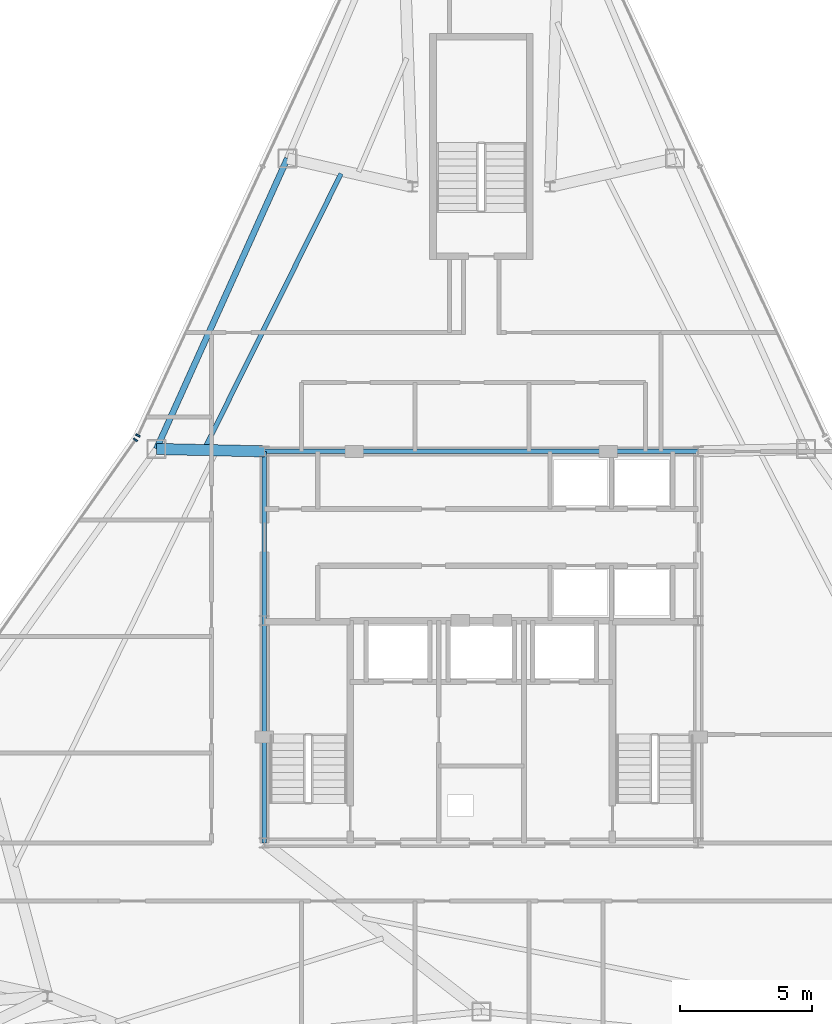
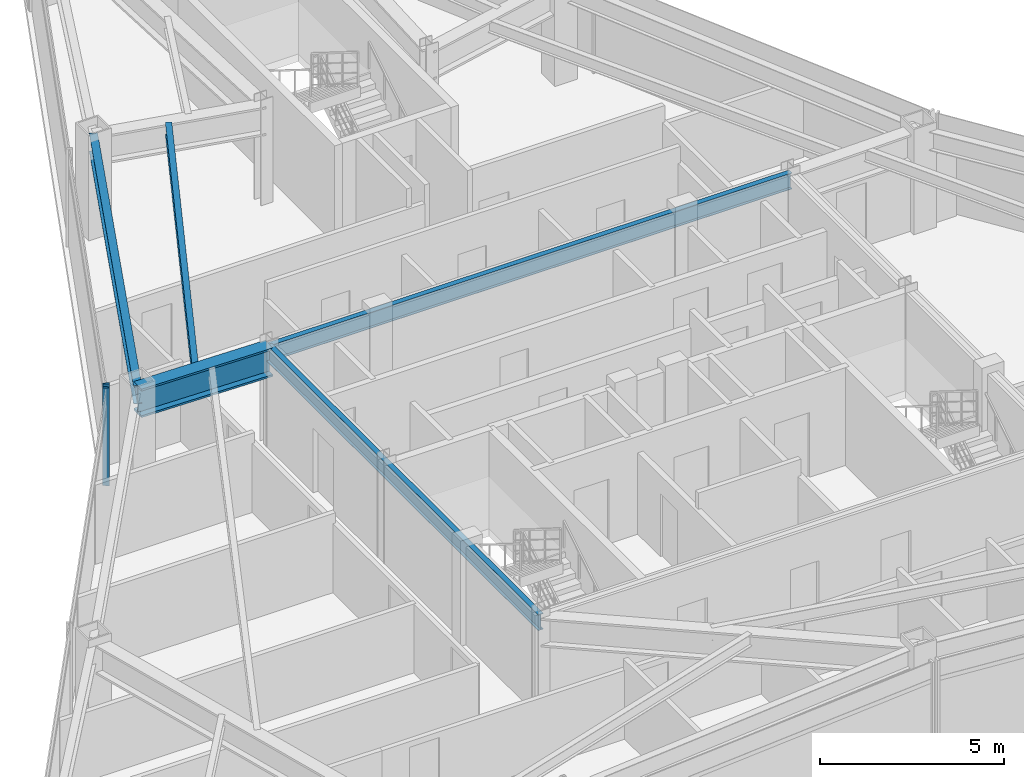
# One storey, part 5 of 12: 5 beams, 2 members, 2 elements without a shape of their own.
"""IFC4 building model written with IfcOpenShell, lengths in metres."""

from ifc_helpers import new_model, si_unit, direction, frame, origin, origin_2d, place, context, subcontext, project, spatial, rectangle, i_section, extrude, source, transform, mapped, material, layer, layer_set, material_profile, profile_set, type_object, type_shapes, element, aggregate, save


model = new_model("IFC4")

# Units and contexts
model_context = context("Model", 3, precision=1e-05, world=origin(), true_north=direction((0.0, 1.0)))
body_context = subcontext(model_context, "Body", "Model", "MODEL_VIEW")
ifc_project = project(units=[si_unit("LENGTHUNIT", "METRE"), si_unit("AREAUNIT", "SQUARE_METRE"), si_unit("VOLUMEUNIT", "CUBIC_METRE"), si_unit("PLANEANGLEUNIT", "RADIAN"), si_unit("MASSUNIT", "GRAM", prefix="KILO")], contexts=[model_context])

# Site, building, storey
site_placement = place(None, origin())
site = spatial("IfcSite", under=ifc_project, at=site_placement, CompositionType="ELEMENT")
building_placement = place(site_placement, origin())
building = spatial("IfcBuilding", under=site, at=building_placement, Name="Varakhsha Concourse Tower", CompositionType="ELEMENT")
storey_placement = place(building_placement, frame((0.0, 0.0, 236.39990234375)))
storey = spatial("IfcBuildingStorey", under=building, at=storey_placement, Name="L67", CompositionType="ELEMENT", Elevation=236.39990234375)

# Beams
ifc_material_1 = material(Name="Structural Steel ASTM A992 Grade 50", Category="steel")
ifc_material_profile_1 = material_profile(ifc_material_1, i_section(OverallWidth=0.177978515625, OverallDepth=0.406982421875, WebThickness=0.008056640625, FlangeThickness=0.012939453125, at=origin_2d()), Name="W16X40")
ifc_profile_set_1 = profile_set([ifc_material_profile_1], Name="Structural Steel ASTM A992 Grade 50")
beam_type_1 = type_object("IfcBeamType", Name="BM-JST-W16X40", PredefinedType="JOIST", material=ifc_profile_set_1)
beam_1_placement = place(storey_placement, frame((34.70166015625, 41.70458984375, 3.046630859375), z_axis=(-0.444542112337, -0.895757952998, 0.0), x_axis=(0.895757952998, -0.444542112337, 0.0)))
element("IfcBeam", 1, at=beam_1_placement, inside=storey, type_object=beam_type_1, Name="BM-TJST-L67-04", PredefinedType="JOIST", context=body_context, shape_type="SweptSolid", body=[
    extrude(i_section(OverallWidth=0.177978515625, OverallDepth=0.406982421875, WebThickness=0.008056640625, FlangeThickness=0.012939453125, at=origin_2d()), origin(), (0.0, 0.0, 1.0), 11.56005859375),
])
ifc_material_profile_2 = material_profile(ifc_material_1, i_section(OverallWidth=0.423095703125, OverallDepth=0.947998046875, WebThickness=0.0380859375, FlangeThickness=0.06396484375, at=origin_2d()), Name="W36X302")
ifc_profile_set_2 = profile_set([ifc_material_profile_2], Name="Structural Steel ASTM A992 Grade 50")
beam_type_2 = type_object("IfcBeamType", Name="BM-OUTR-W36X302", PredefinedType="USERDEFINED", material=ifc_profile_set_2)
beam_2_placement = place(storey_placement, frame((31.800048828125, 31.199951171875, 2.776123046875), z_axis=(-0.99974995061, 0.022361490433, 0.0), x_axis=(-0.022361490433, -0.99974995061, 0.0)))
element("IfcBeam", 2, at=beam_2_placement, inside=storey, type_object=beam_type_2, Name="L67 Radial Floor Girder 05", ObjectType="GIRDER", PredefinedType="USERDEFINED", context=body_context, shape_type="SweptSolid", body=[
    extrude(i_section(OverallWidth=0.423095703125, OverallDepth=0.947998046875, WebThickness=0.0380859375, FlangeThickness=0.06396484375, at=origin_2d()), origin(), (0.0, 0.0, 1.0), 4.083251953125),
])
ifc_material_profile_3 = material_profile(ifc_material_1, i_section(OverallWidth=0.1669921875, OverallDepth=0.534912109375, WebThickness=0.010009765625, FlangeThickness=0.01708984375, at=origin_2d()), Name="W21X57")
ifc_profile_set_3 = profile_set([ifc_material_profile_3], Name="Structural Steel ASTM A992 Grade 50")
beam_type_3 = type_object("IfcBeamType", Name="BM-RAD-W21X57", PredefinedType="BEAM", material=ifc_profile_set_3)
beam_3_placement = place(storey_placement, frame((31.800048828125, 31.199951171875, 2.982666015625), z_axis=(1.0, 0.0, 0.0), x_axis=(0.0, 1.0, 0.0)))
element("IfcBeam", 3, at=beam_3_placement, inside=storey, type_object=beam_type_3, Name="BM-TCORE-L67-CN", PredefinedType="BEAM", context=body_context, shape_type="SweptSolid", body=[
    extrude(i_section(OverallWidth=0.1669921875, OverallDepth=0.534912109375, WebThickness=0.010009765625, FlangeThickness=0.01708984375, at=origin_2d()), origin(), (0.0, 0.0, 1.0), 16.39990234375),
])
beam_4_placement = place(storey_placement, frame((31.800048828125, 16.39990234375, 2.982666015625), z_axis=(0.0, 1.0, 0.0), x_axis=(-1.0, 0.0, 0.0)))
element("IfcBeam", 4, at=beam_4_placement, inside=storey, type_object=beam_type_3, Name="BM-TCORE-L67-CW", PredefinedType="BEAM", context=body_context, shape_type="SweptSolid", body=[
    extrude(i_section(OverallWidth=0.1669921875, OverallDepth=0.534912109375, WebThickness=0.010009765625, FlangeThickness=0.01708984375, at=origin_2d()), origin(), (0.0, 0.0, 1.0), 14.800048828125),
])
ifc_material_profile_4 = material_profile(ifc_material_1, i_section(OverallWidth=0.22900390625, OverallDepth=0.612060546875, WebThickness=0.011962890625, FlangeThickness=0.02001953125, at=origin_2d()), Name="W24X84")
ifc_profile_set_4 = profile_set([ifc_material_profile_4], Name="Structural Steel ASTM A992 Grade 50")
beam_type_4 = type_object("IfcBeamType", Name="BM-SPAN-W24X84", PredefinedType="SPANDREL", material=ifc_profile_set_4)
beam_5_placement = place(storey_placement, frame((32.6689453125, 42.277099609375, 2.944091796875), z_axis=(-0.410885236605, -0.911687074791, 0.0), x_axis=(0.911687074791, -0.410885236605, 0.0)))
element("IfcBeam", 5, at=beam_5_placement, inside=storey, type_object=beam_type_4, Name="BM-SPAN-L67-04", PredefinedType="SPANDREL", context=body_context, shape_type="SweptSolid", body=[
    extrude(i_section(OverallWidth=0.22900390625, OverallDepth=0.612060546875, WebThickness=0.011962890625, FlangeThickness=0.02001953125, at=origin_2d()), origin(), (0.0, 0.0, 1.0), 12.050048828125),
])

# Curtain wall, member
ifc_material_2 = material(Name="Anodised Bronze Architectural Aluminium AA 6063-T6", Category="aluminium")
ifc_layer = layer(ifc_material_2, 0.199951171875, Name="CW-SYS-05")
ifc_layer_set = layer_set([ifc_layer], Name="Anodised Bronze Architectural Aluminium AA 6063-T6")
curtain_wall_type = type_object("IfcCurtainWallType", Name="CW-SYS-05", PredefinedType="NOTDEFINED", material=ifc_layer_set)
curtain_wall_1_placement = place(storey_placement, origin())
curtain_wall_1 = element("IfcCurtainWall", 6, at=curtain_wall_1_placement, inside=storey, type_object=curtain_wall_type, Name="L67 Crystal Curtain Wall F2", PredefinedType="NOTDEFINED")
ifc_material_profile_5 = material_profile(ifc_material_2, rectangle(XDim=0.06494140625, YDim=0.179931640625, at=origin_2d()), Name="CWM-180X65")
ifc_profile_set_5 = profile_set([ifc_material_profile_5], Name="Anodised Bronze Architectural Aluminium AA 6063-T6")
member_type = type_object("IfcMemberType", Name="CWM-180X65", PredefinedType="MULLION", material=ifc_profile_set_5)
shared_shape = source(origin(), body_context, "Body", "SweptSolid", [
    extrude(rectangle(XDim=0.06494140625, YDim=0.179931640625, at=origin_2d()), origin(), (0.0, 0.0, 1.0), 3.25),
])
type_shapes(member_type, [shared_shape])
member_1_placement = place(storey_placement, frame((27.02001953125, 31.802490234375, 0.0), z_axis=(0.0, 0.0, 1.0), x_axis=(0.420546577212, 0.907270949824, 0.0)))
member_1 = element("IfcMember", 7, at=member_1_placement, type_object=member_type, Name="CW-L67-F2 Mullion 00", PredefinedType="MULLION", context=body_context, shape_type="MappedRepresentation", body=[
    mapped(shared_shape, transform((0.0, 0.0, 0.0), scale=1.0)),
])
aggregate(curtain_wall_1, [member_1])

curtain_wall_2_placement = place(storey_placement, origin())
curtain_wall_2 = element("IfcCurtainWall", 8, at=curtain_wall_2_placement, inside=storey, type_object=curtain_wall_type, Name="L67 Crystal Curtain Wall F3", PredefinedType="NOTDEFINED")
member_2_placement = place(storey_placement, frame((26.926025390625, 31.6396484375, 0.0), z_axis=(0.0, 0.0, 1.0), x_axis=(0.575443547255, 0.817841502935, 0.0)))
member_2 = element("IfcMember", 9, at=member_2_placement, type_object=member_type, Name="CW-L67-F3 Mullion 02", PredefinedType="MULLION", context=body_context, shape_type="MappedRepresentation", body=[
    mapped(shared_shape, transform((0.0, 0.0, 0.0), scale=1.0)),
])
aggregate(curtain_wall_2, [member_2])

save(model, "model.ifc")
